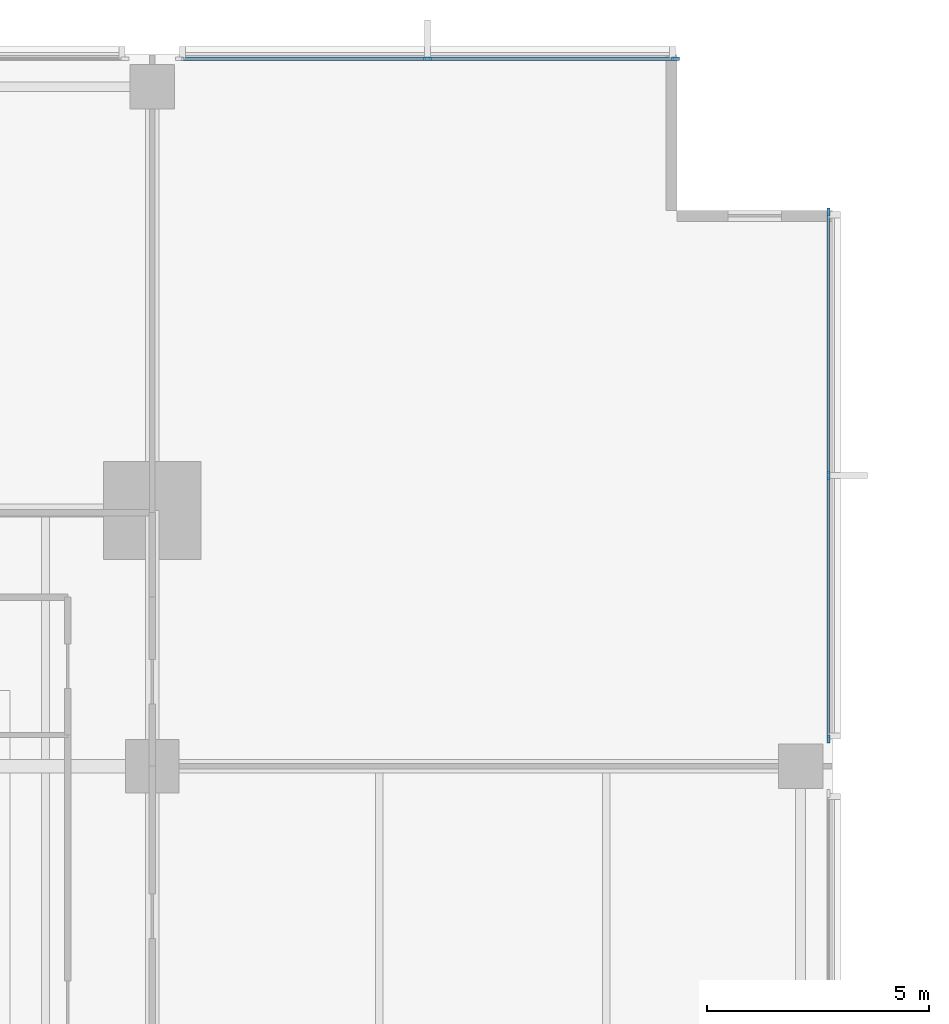
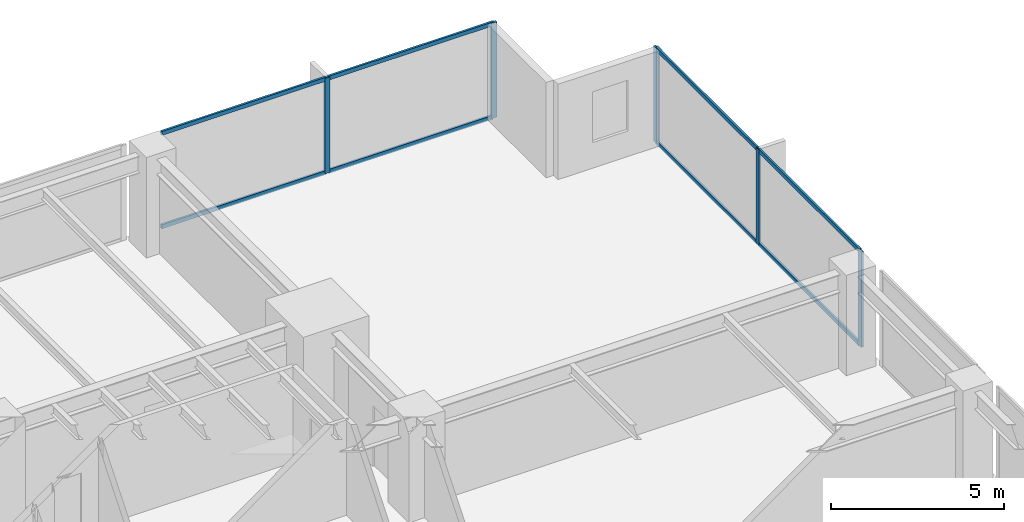
# One storey, part 6 of 15: 13 members, 2 elements without a shape of their own.
"""IFC4 building model written with IfcOpenShell, lengths in metres."""

from ifc_helpers import new_model, si_unit, direction, frame, origin, origin_2d, place, context, subcontext, project, spatial, rectangle, extrude, material, layer, layer_set, material_profile, profile_set, type_object, element, aggregate, save


model = new_model("IFC4")

# Units and contexts
model_context = context("Model", 3, precision=1e-05, world=origin(), true_north=direction((0.0, 1.0)))
body_context = subcontext(model_context, "Body", "Model", "MODEL_VIEW")
ifc_project = project(units=[si_unit("LENGTHUNIT", "METRE"), si_unit("AREAUNIT", "SQUARE_METRE"), si_unit("VOLUMEUNIT", "CUBIC_METRE"), si_unit("PLANEANGLEUNIT", "RADIAN"), si_unit("MASSUNIT", "GRAM", prefix="KILO")], contexts=[model_context])

# Site, building, storey
site_placement = place(None, origin())
site = spatial("IfcSite", under=ifc_project, at=site_placement, CompositionType="ELEMENT")
building_placement = place(site_placement, origin())
building = spatial("IfcBuilding", under=site, at=building_placement, Name="Kinhvarn Gate Tower", CompositionType="ELEMENT")
storey_placement = place(building_placement, frame((0.0, 0.0, 32.699951171875)))
storey = spatial("IfcBuildingStorey", under=building, at=storey_placement, Name="L07", CompositionType="ELEMENT", Elevation=32.699951171875)

# Curtain wall, members
ifc_material = material(Name="Anodised aluminium AW-6063", Category="aluminium")
ifc_layer = layer(ifc_material, 0.179931640625)
ifc_layer_set = layer_set([ifc_layer], Name="Anodised aluminium AW-6063")
curtain_wall_type = type_object("IfcCurtainWallType", Name="CW-SYS-2", PredefinedType="NOTDEFINED", material=ifc_layer_set)
curtain_wall_1_placement = place(storey_placement, origin())
curtain_wall_1 = element("IfcCurtainWall", 1, at=curtain_wall_1_placement, inside=storey, type_object=curtain_wall_type, Name="Curtain Wall CW2 (L07)", PredefinedType="NOTDEFINED")
ifc_material_profile_1 = material_profile(ifc_material, rectangle(XDim=0.070068359375, YDim=0.179931640625, at=origin_2d()), Name="ALU 70x180")
ifc_profile_set_1 = profile_set([ifc_material_profile_1], Name="Anodised aluminium AW-6063")
member_type_1 = type_object("IfcMemberType", Name="CW-MUL-180", PredefinedType="MULLION", material=ifc_profile_set_1)
member_1_placement = place(storey_placement, frame((49.965087890625, 47.909912109375, 0.0), z_axis=(0.0, 0.0, 1.0), x_axis=(0.0, -1.0, 0.0)))
member_1 = element("IfcMember", 2, at=member_1_placement, type_object=member_type_1, Name="CW2 mullion 1", PredefinedType="MULLION", context=body_context, shape_type="SweptSolid", body=[
    extrude(rectangle(XDim=0.070068359375, YDim=0.179931640625, at=origin_2d()), origin(), (0.0, 0.0, 1.0), 3.3701171875),
])
member_2_placement = place(storey_placement, frame((44.389892578125, 47.909912109375, 0.0), z_axis=(0.0, 0.0, 1.0), x_axis=(0.0, -1.0, 0.0)))
member_2 = element("IfcMember", 3, at=member_2_placement, type_object=member_type_1, Name="CW2 mullion 2", PredefinedType="MULLION", context=body_context, shape_type="SweptSolid", body=[
    extrude(rectangle(XDim=0.070068359375, YDim=0.179931640625, at=origin_2d()), origin(), (0.0, 0.0, 1.0), 3.3701171875),
])

curtain_wall_2_placement = place(storey_placement, origin())
curtain_wall_2 = element("IfcCurtainWall", 4, at=curtain_wall_2_placement, inside=storey, type_object=curtain_wall_type, Name="Curtain Wall CW2 (L07)", PredefinedType="NOTDEFINED")
member_3_placement = place(storey_placement, frame((53.409912109375, 32.614990234375, 0.0), z_axis=(0.0, 0.0, 1.0), x_axis=(-1.0, 0.0, 0.0)))
member_3 = element("IfcMember", 5, at=member_3_placement, type_object=member_type_1, Name="CW2 mullion 1", PredefinedType="MULLION", context=body_context, shape_type="SweptSolid", body=[
    extrude(rectangle(XDim=0.070068359375, YDim=0.179931640625, at=origin_2d()), origin(), (0.0, 0.0, 1.0), 3.3701171875),
])
member_4_placement = place(storey_placement, frame((53.409912109375, 38.5400390625, 0.0), z_axis=(0.0, 0.0, 1.0), x_axis=(-1.0, 0.0, 0.0)))
member_4 = element("IfcMember", 6, at=member_4_placement, type_object=member_type_1, Name="CW2 mullion 2", PredefinedType="MULLION", context=body_context, shape_type="SweptSolid", body=[
    extrude(rectangle(XDim=0.070068359375, YDim=0.179931640625, at=origin_2d()), origin(), (0.0, 0.0, 1.0), 3.3701171875),
])
member_5_placement = place(storey_placement, frame((53.409912109375, 44.465087890625, 0.0), z_axis=(0.0, 0.0, 1.0), x_axis=(-1.0, 0.0, 0.0)))
member_5 = element("IfcMember", 7, at=member_5_placement, type_object=member_type_1, Name="CW2 mullion 3", PredefinedType="MULLION", context=body_context, shape_type="SweptSolid", body=[
    extrude(rectangle(XDim=0.070068359375, YDim=0.179931640625, at=origin_2d()), origin(), (0.0, 0.0, 1.0), 3.3701171875),
])

# Member
ifc_material_profile_2 = material_profile(ifc_material, rectangle(XDim=0.070068359375, YDim=0.139892578125, at=origin_2d()), Name="ALU 70x140")
ifc_profile_set_2 = profile_set([ifc_material_profile_2], Name="Anodised aluminium AW-6063")
member_type_2 = type_object("IfcMemberType", Name="CW-TRN-140", PredefinedType="USERDEFINED", material=ifc_profile_set_2)
member_6_placement = place(storey_placement, frame((49.929931640625, 47.909912109375, 0.03515625), z_axis=(-1.0, 0.0, 0.0), x_axis=(0.0, -1.0, 0.0)))
member_6 = element("IfcMember", 8, at=member_6_placement, type_object=member_type_2, Name="CW2 transom 1.1", ObjectType="TRANSOM", PredefinedType="USERDEFINED", context=body_context, shape_type="SweptSolid", body=[
    extrude(rectangle(XDim=0.070068359375, YDim=0.139892578125, at=origin_2d()), origin(), (0.0, 0.0, 1.0), 5.5048828125),
])

member_7_placement = place(storey_placement, frame((49.929931640625, 47.909912109375, 3.3349609375), z_axis=(-1.0, 0.0, 0.0), x_axis=(0.0, -1.0, 0.0)))
member_7 = element("IfcMember", 9, at=member_7_placement, type_object=member_type_2, Name="CW2 transom 1.2", ObjectType="TRANSOM", PredefinedType="USERDEFINED", context=body_context, shape_type="SweptSolid", body=[
    extrude(rectangle(XDim=0.070068359375, YDim=0.139892578125, at=origin_2d()), origin(), (0.0, 0.0, 1.0), 5.5048828125),
])

member_8_placement = place(storey_placement, frame((44.35498046875, 47.909912109375, 0.03515625), z_axis=(-1.0, 0.0, 0.0), x_axis=(0.0, -1.0, 0.0)))
member_8 = element("IfcMember", 10, at=member_8_placement, type_object=member_type_2, Name="CW2 transom 2.1", ObjectType="TRANSOM", PredefinedType="USERDEFINED", context=body_context, shape_type="SweptSolid", body=[
    extrude(rectangle(XDim=0.070068359375, YDim=0.139892578125, at=origin_2d()), origin(), (0.0, 0.0, 1.0), 5.5048828125),
])

member_9_placement = place(storey_placement, frame((44.35498046875, 47.909912109375, 3.3349609375), z_axis=(-1.0, 0.0, 0.0), x_axis=(0.0, -1.0, 0.0)))
member_9 = element("IfcMember", 11, at=member_9_placement, type_object=member_type_2, Name="CW2 transom 2.2", ObjectType="TRANSOM", PredefinedType="USERDEFINED", context=body_context, shape_type="SweptSolid", body=[
    extrude(rectangle(XDim=0.070068359375, YDim=0.139892578125, at=origin_2d()), origin(), (0.0, 0.0, 1.0), 5.5048828125),
])

aggregate(curtain_wall_1, [member_1, member_2, member_6, member_7, member_8, member_9])

member_10_placement = place(storey_placement, frame((53.409912109375, 32.64990234375, 0.03515625), z_axis=(0.0, 1.0, 0.0), x_axis=(-1.0, 0.0, 0.0)))
member_10 = element("IfcMember", 12, at=member_10_placement, type_object=member_type_2, Name="CW2 transom 1.1", ObjectType="TRANSOM", PredefinedType="USERDEFINED", context=body_context, shape_type="SweptSolid", body=[
    extrude(rectangle(XDim=0.070068359375, YDim=0.139892578125, at=origin_2d()), origin(), (0.0, 0.0, 1.0), 5.85498046875),
])

member_11_placement = place(storey_placement, frame((53.409912109375, 32.64990234375, 3.3349609375), z_axis=(0.0, 1.0, 0.0), x_axis=(-1.0, 0.0, 0.0)))
member_11 = element("IfcMember", 13, at=member_11_placement, type_object=member_type_2, Name="CW2 transom 1.2", ObjectType="TRANSOM", PredefinedType="USERDEFINED", context=body_context, shape_type="SweptSolid", body=[
    extrude(rectangle(XDim=0.070068359375, YDim=0.139892578125, at=origin_2d()), origin(), (0.0, 0.0, 1.0), 5.85498046875),
])

member_12_placement = place(storey_placement, frame((53.409912109375, 38.574951171875, 0.03515625), z_axis=(0.0, 1.0, 0.0), x_axis=(-1.0, 0.0, 0.0)))
member_12 = element("IfcMember", 14, at=member_12_placement, type_object=member_type_2, Name="CW2 transom 2.1", ObjectType="TRANSOM", PredefinedType="USERDEFINED", context=body_context, shape_type="SweptSolid", body=[
    extrude(rectangle(XDim=0.070068359375, YDim=0.139892578125, at=origin_2d()), origin(), (0.0, 0.0, 1.0), 5.85498046875),
])

member_13_placement = place(storey_placement, frame((53.409912109375, 38.574951171875, 3.3349609375), z_axis=(0.0, 1.0, 0.0), x_axis=(-1.0, 0.0, 0.0)))
member_13 = element("IfcMember", 15, at=member_13_placement, type_object=member_type_2, Name="CW2 transom 2.2", ObjectType="TRANSOM", PredefinedType="USERDEFINED", context=body_context, shape_type="SweptSolid", body=[
    extrude(rectangle(XDim=0.070068359375, YDim=0.139892578125, at=origin_2d()), origin(), (0.0, 0.0, 1.0), 5.85498046875),
])

aggregate(curtain_wall_2, [member_3, member_4, member_5, member_10, member_11, member_12, member_13])

save(model, "model.ifc")
